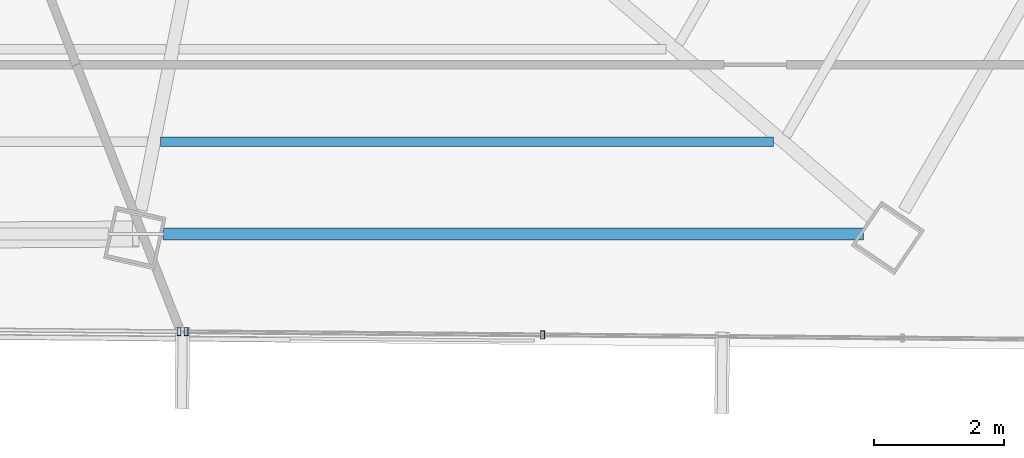
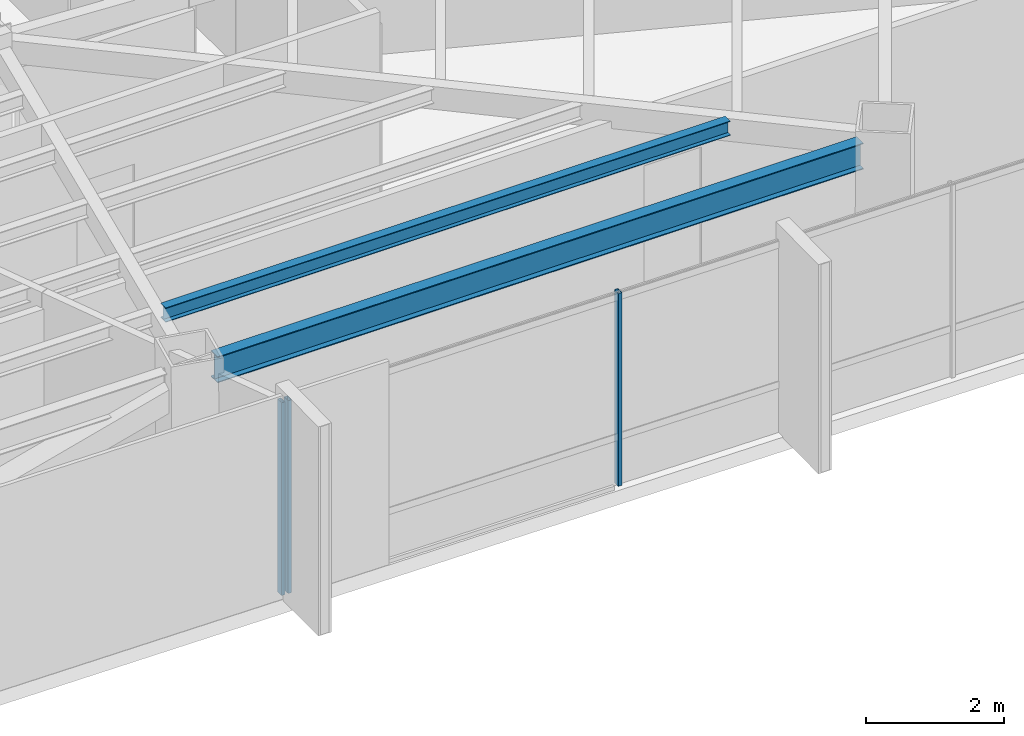
# One storey, part 22 of 47: 3 members, 2 beams, 2 elements without a shape of their own.
"""IFC4 building model written with IfcOpenShell, lengths in metres."""

from ifc_helpers import new_model, si_unit, direction, frame, origin, origin_2d, place, context, subcontext, project, spatial, hollow_rectangle, i_section, extrude, source, transform, mapped, material, material_profile, profile_set, type_object, type_shapes, element, aggregate, save


model = new_model("IFC4")

# Units and contexts
model_context = context("Model", 3, precision=1e-05, world=origin(), true_north=direction((0.0, 1.0)))
body_context = subcontext(model_context, "Body", "Model", "MODEL_VIEW")
ifc_project = project(units=[si_unit("LENGTHUNIT", "METRE"), si_unit("AREAUNIT", "SQUARE_METRE"), si_unit("VOLUMEUNIT", "CUBIC_METRE"), si_unit("PLANEANGLEUNIT", "RADIAN"), si_unit("MASSUNIT", "GRAM", prefix="KILO")], contexts=[model_context])

# Site, building, storey
site_placement = place(None, origin())
site = spatial("IfcSite", under=ifc_project, at=site_placement, CompositionType="ELEMENT")
building_placement = place(site_placement, origin())
building = spatial("IfcBuilding", under=site, at=building_placement, Name="Caelisora Broadcast Tower", CompositionType="ELEMENT")
storey_placement = place(building_placement, frame((0.0, 0.0, 229.85009765625)))
storey = spatial("IfcBuildingStorey", under=building, at=storey_placement, Name="L60", CompositionType="ELEMENT", Elevation=229.85009765625)

# Beams
ifc_material_1 = material(Name="Steel Grade 350 (AS/NZS 3679.1)", Category="steel")
ifc_material_profile_1 = material_profile(ifc_material_1, i_section(OverallWidth=0.19091796875, OverallDepth=0.46044921875, WebThickness=0.010009765625, FlangeThickness=0.01611328125, at=origin_2d()), Name="Steel Grade 350 (AS/NZS 3679.1)")
ifc_profile_set_1 = profile_set([ifc_material_profile_1], Name="Steel Grade 350 (AS/NZS 3679.1)")
beam_type_1 = type_object("IfcBeamType", Name="PG06", PredefinedType="BEAM", material=ifc_profile_set_1)
shared_shape_1 = source(origin(), body_context, "Body", "SweptSolid", [
    extrude(i_section(OverallWidth=0.19091796875, OverallDepth=0.46044921875, WebThickness=0.010009765625, FlangeThickness=0.01611328125, at=origin_2d()), origin(), (0.0, 0.0, 1.0), 10.771728515625),
])
type_shapes(beam_type_1, [shared_shape_1])
beam_1_placement = place(storey_placement, frame((44.2177734375, 8.87841796875, 3.169677734375), z_axis=(1.0, 0.0, 0.0), x_axis=(0.0, 1.0, 0.0)))
element("IfcBeam", 1, at=beam_1_placement, inside=storey, type_object=beam_type_1, Name="L60 beam PG06", PredefinedType="BEAM", context=body_context, shape_type="MappedRepresentation", body=[
    mapped(shared_shape_1, transform((0.0, 0.0, 0.0), scale=1.0)),
])
ifc_material_profile_2 = material_profile(ifc_material_1, i_section(OverallWidth=0.14599609375, OverallDepth=0.256103515625, WebThickness=0.00634765625, FlangeThickness=0.010986328125, at=origin_2d()), Name="Steel Grade 350 (AS/NZS 3679.1)")
ifc_profile_set_2 = profile_set([ifc_material_profile_2], Name="Steel Grade 350 (AS/NZS 3679.1)")
beam_type_2 = type_object("IfcBeamType", Name="SB04", PredefinedType="JOIST", material=ifc_profile_set_2)
shared_shape_2 = source(origin(), body_context, "Body", "SweptSolid", [
    extrude(i_section(OverallWidth=0.14599609375, OverallDepth=0.256103515625, WebThickness=0.00634765625, FlangeThickness=0.010986328125, at=origin_2d()), origin(), (0.0, 0.0, 1.0), 9.42041015625),
])
type_shapes(beam_type_2, [shared_shape_2])
beam_2_placement = place(storey_placement, frame((44.183837890625, 10.298583984375, 3.271728515625), z_axis=(1.0, 0.0, 0.0), x_axis=(0.0, 1.0, 0.0)))
element("IfcBeam", 2, at=beam_2_placement, inside=storey, type_object=beam_type_2, Name="L60 beam SB04", PredefinedType="JOIST", context=body_context, shape_type="MappedRepresentation", body=[
    mapped(shared_shape_2, transform((0.0, 0.0, 0.0), scale=1.0)),
])

# Curtain wall, members
ifc_material_2 = material(Name="Unitised Aluminium and Low-E Glass Curtain Wall", Category="glass")
curtain_wall_type_1 = type_object("IfcCurtainWallType", Name="CW-Z5", PredefinedType="NOTDEFINED", material=ifc_material_2)
curtain_wall_1_placement = place(storey_placement, origin())
curtain_wall_1 = element("IfcCurtainWall", 3, at=curtain_wall_1_placement, inside=storey, type_object=curtain_wall_type_1, Name="L60 curtain wall CW-Z5", PredefinedType="NOTDEFINED")
ifc_material_3 = material(Name="Aluminium 6063-T6 Anodised Terracotta Bronze", Category="aluminium")
ifc_material_profile_3 = material_profile(ifc_material_3, hollow_rectangle(XDim=0.06005859375, YDim=0.1201171875, WallThickness=0.0029296875, at=origin_2d()), Name="Aluminium 6063-T6 Anodised Terracotta Bronze")
ifc_profile_set_3 = profile_set([ifc_material_profile_3], Name="Aluminium 6063-T6 Anodised Terracotta Bronze")
member_type = type_object("IfcMemberType", Name="CWM-04", PredefinedType="MULLION", material=ifc_profile_set_3)
shared_shape_3 = source(origin(), body_context, "Body", "SweptSolid", [
    extrude(hollow_rectangle(XDim=0.06005859375, YDim=0.1201171875, WallThickness=0.0029296875, at=origin_2d()), origin(), (0.0, 0.0, 1.0), 3.39990234375),
])
type_shapes(member_type, [shared_shape_3])
member_1_placement = place(storey_placement, frame((50.058837890625, 7.328125, 0.0), z_axis=(0.0, 0.0, 1.0), x_axis=(1.0, 0.0, 0.0)))
member_1 = element("IfcMember", 4, at=member_1_placement, type_object=member_type, Name="L60-CW-B05 mullion #2", PredefinedType="MULLION", context=body_context, shape_type="MappedRepresentation", body=[
    mapped(shared_shape_3, transform((0.0, 0.0, 0.0), scale=1.0)),
])
member_2_placement = place(storey_placement, frame((44.577880859375, 7.376708984375, 0.0), z_axis=(0.0, 0.0, 1.0), x_axis=(1.0, 0.0, 0.0)))
member_2 = element("IfcMember", 5, at=member_2_placement, type_object=member_type, Name="L60-CW-B05 mullion #3", PredefinedType="MULLION", context=body_context, shape_type="MappedRepresentation", body=[
    mapped(shared_shape_3, transform((0.0, 0.0, 0.0), scale=1.0)),
])
aggregate(curtain_wall_1, [member_1, member_2])

# Curtain wall, member
ifc_material_4 = material(Name="Unitised Aluminium Insulated Shadow-Box Spandrel Curtain Wall", Category="aluminium")
curtain_wall_type_2 = type_object("IfcCurtainWallType", Name="CW-SP3", PredefinedType="NOTDEFINED", material=ifc_material_4)
curtain_wall_2_placement = place(storey_placement, origin())
curtain_wall_2 = element("IfcCurtainWall", 6, at=curtain_wall_2_placement, inside=storey, type_object=curtain_wall_type_2, Name="L60 curtain wall CW-SP3", PredefinedType="NOTDEFINED")
member_3_placement = place(storey_placement, frame((44.4677734375, 7.377685546875, 0.0), z_axis=(0.0, 0.0, 1.0), x_axis=(1.0, 0.0, 0.0)))
member_3 = element("IfcMember", 7, at=member_3_placement, type_object=member_type, Name="L60-CW-B06 mullion #0", PredefinedType="MULLION", context=body_context, shape_type="MappedRepresentation", body=[
    mapped(shared_shape_3, transform((0.0, 0.0, 0.0), scale=1.0)),
])
aggregate(curtain_wall_2, [member_3])

save(model, "model.ifc")
